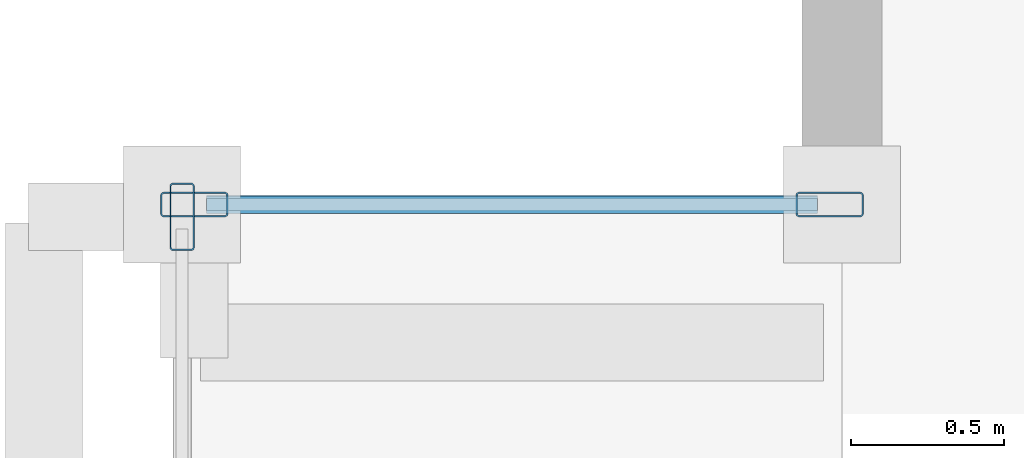
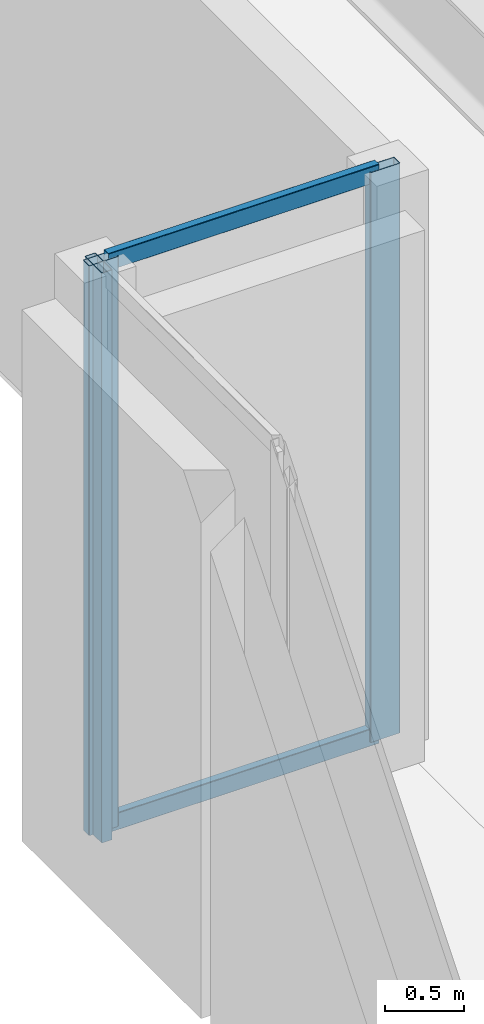
# One storey, part 4 of 16: 5 members, 2 elements without a shape of their own.
"""IFC4 building model written with IfcOpenShell, lengths in metres."""

import ifcopenshell
import ifcopenshell.guid

model = None  # the IFC model being written
_history = None  # IfcOwnerHistory: only IFC2X3 demands one
_inside = {}  # id of a spatial element -> (the spatial element, [elements in it])
_under = {}  # id of a project, library or spatial element -> (it, [spatial elements below it])
_declared = {}  # id of a project -> (the project, [libraries it declares])
_typed = {}  # id of a type object -> (the type object, [elements of that type])
_made_of = {}  # id of a material, layer set ... -> (it, [elements and type objects made of it])


def new_model(schema):
    """Start an empty IFC model of exactly this schema.

    Asked for "IFC4X3", IfcOpenShell would pick the latest addendum, in which some entities
    have other attributes; the version numbers below select the first issue.
    IFC2X3 requires an IfcOwnerHistory on every rooted entity: one is made here for all.
    """
    global model, _history
    if schema == "IFC4X3":
        model = ifcopenshell.file(schema_version=(4, 3, 0, 0))
    else:
        model = ifcopenshell.file(schema=schema)
    _inside.clear()
    _under.clear()
    _declared.clear()
    _typed.clear()
    _made_of.clear()
    _history = None
    if model.schema == "IFC2X3":
        org = make("IfcOrganization", Name="unknown")
        user = make(
            "IfcPersonAndOrganization",
            ThePerson=make("IfcPerson", FamilyName="unknown"),
            TheOrganization=org,
        )
        app = make(
            "IfcApplication",
            ApplicationDeveloper=org,
            Version="unknown",
            ApplicationFullName="unknown",
            ApplicationIdentifier="unknown",
        )
        _history = make(
            "IfcOwnerHistory",
            OwningUser=user,
            OwningApplication=app,
            ChangeAction="ADDED",
            CreationDate=0,
        )
    return model


def make(cls, **values):
    """One entity of the class cls with the attributes given. An attribute that is None is left unset."""
    return model.create_entity(
        cls, **{name: value for name, value in values.items() if value is not None}
    )


def rooted(cls, **values):
    """An entity with a GlobalId (a new one), such as an element, a storey or a relation."""
    return make(cls, GlobalId=ifcopenshell.guid.new(), OwnerHistory=_history, **values)


def si_unit(unit_type, name, prefix=None):
    """IfcSIUnit, for example si_unit("LENGTHUNIT", "METRE", prefix="MILLI")."""
    return make("IfcSIUnit", UnitType=unit_type, Prefix=prefix, Name=name)


def assignment(units):
    """IfcUnitAssignment: the units of a project."""
    return None if units is None else make("IfcUnitAssignment", Units=units)


def point(xyz):
    """IfcCartesianPoint."""
    return None if xyz is None else make("IfcCartesianPoint", Coordinates=xyz)


def direction(xyz):
    """IfcDirection."""
    return None if xyz is None else make("IfcDirection", DirectionRatios=xyz)


def frame(location, z_axis=None, x_axis=None):
    """IfcAxis2Placement3D, a coordinate frame: its origin and axes. An axis left out is left unset."""
    return make(
        "IfcAxis2Placement3D",
        Location=point(location),
        Axis=direction(z_axis),
        RefDirection=direction(x_axis),
    )


def frame_2d(location, x_axis=None):
    """IfcAxis2Placement2D, a coordinate frame in the plane: its origin and x axis."""
    return make(
        "IfcAxis2Placement2D", Location=point(location), RefDirection=direction(x_axis)
    )


def origin():
    """The frame at (0, 0, 0) with its axes left unset."""
    return frame((0.0, 0.0, 0.0))


def origin_2d():
    """The frame at (0, 0) in the plane with its x axis left unset."""
    return frame_2d((0.0, 0.0))


def place(relative_to, where):
    """IfcLocalPlacement: puts the frame where relative to a parent placement (None: the world)."""
    return make(
        "IfcLocalPlacement", PlacementRelTo=relative_to, RelativePlacement=where
    )


def context(
    kind, dimensions, precision=None, world=None, true_north=None, identifier=None
):
    """IfcGeometricRepresentationContext, for example the 3D "Model" context."""
    return make(
        "IfcGeometricRepresentationContext",
        ContextIdentifier=identifier,
        ContextType=kind,
        CoordinateSpaceDimension=dimensions,
        Precision=precision,
        WorldCoordinateSystem=world,
        TrueNorth=true_north,
    )


def subcontext(parent, identifier, kind, view, scale=None):
    """IfcGeometricRepresentationSubContext, for example "Body" below "Model"."""
    return make(
        "IfcGeometricRepresentationSubContext",
        ContextIdentifier=identifier,
        ContextType=kind,
        ParentContext=parent,
        TargetScale=scale,
        TargetView=view,
    )


def project(units=None, contexts=None):
    """IfcProject with its units and contexts."""
    return rooted(
        "IfcProject",
        Name="project",
        RepresentationContexts=contexts,
        UnitsInContext=assignment(units),
    )


def spatial(cls, under=None, at=None, **own):
    """A site, building, storey or space (cls), placed at a placement, below another one or the project."""
    s = rooted(cls, ObjectPlacement=at, **own)
    if under is not None:
        _under.setdefault(under.id(), (under, []))[1].append(s)
    return s


def profile(cls, at=None, kind="AREA", **sizes):
    """A parametric profile (cls). Its sizes go by their IFC names, for example OverallWidth=200.0."""
    return make(cls, ProfileType=kind, Position=at, **sizes)


def hollow_rectangle(**sizes):
    """IfcRectangleHollowProfileDef."""
    return profile("IfcRectangleHollowProfileDef", **sizes)


def extrude(swept, where, along, depth):
    """IfcExtrudedAreaSolid: the profile swept, set in the frame where, extruded along a direction by depth."""
    return make(
        "IfcExtrudedAreaSolid",
        SweptArea=swept,
        Position=where,
        ExtrudedDirection=direction(along),
        Depth=depth,
    )


def shape(context_of_items, identifier, shape_type, items):
    """IfcShapeRepresentation: the items that make up one representation, for example the "Body"."""
    return make(
        "IfcShapeRepresentation",
        ContextOfItems=context_of_items,
        RepresentationIdentifier=identifier,
        RepresentationType=shape_type,
        Items=items,
    )


def material(Name=None, Category=None):
    """IfcMaterial."""
    return make("IfcMaterial", Name=Name, Category=Category)


def layer(
    of_material, thickness, ventilated=None, Name=None, Category=None, Priority=None
):
    """IfcMaterialLayer: one layer of a wall or slab, of a material (None: an air gap)."""
    return make(
        "IfcMaterialLayer",
        Material=of_material,
        LayerThickness=thickness,
        IsVentilated=ventilated,
        Name=Name,
        Category=Category,
        Priority=Priority,
    )


def layer_set(layers, Name=None):
    """IfcMaterialLayerSet."""
    return make("IfcMaterialLayerSet", MaterialLayers=layers, LayerSetName=Name)


def material_profile(
    of_material, cross_section, Name=None, Category=None, Priority=None
):
    """IfcMaterialProfile: a cross section and its material."""
    return make(
        "IfcMaterialProfile",
        Name=Name,
        Material=of_material,
        Profile=cross_section,
        Priority=Priority,
        Category=Category,
    )


def profile_set(profiles, Name=None, composite=None):
    """IfcMaterialProfileSet."""
    return make(
        "IfcMaterialProfileSet",
        Name=Name,
        MaterialProfiles=profiles,
        CompositeProfile=composite,
    )


def made_of(thing, what):
    """Note that an element or type object is made of a material, layer set ...; save() writes the relation."""
    if what is not None:
        _made_of.setdefault(what.id(), (what, []))[1].append(thing)
    return thing


def type_object(cls, material=None, **own):
    """A type object (cls), such as IfcWallType, which elements share."""
    return made_of(rooted(cls, **own), material)


def element(
    cls,
    number,
    at=None,
    inside=None,
    cuts=None,
    type_object=None,
    material=None,
    context=None,
    identifier="Body",
    shape_type=None,
    held_by="IfcProductDefinitionShape",
    body=None,
    shapes=None,
    **own,
):
    """One element of the class cls, such as IfcWall. Its Tag is "e" and its number.

    at: its placement. inside: the storey or other place that contains it. cuts: it is an
    opening in that element (IfcRelVoidsElement). A single representation is given by context,
    identifier, shape_type and body (its items); several are given by shapes. held_by: the class
    of the entity that holds the representations. save() writes the other relations.
    """
    e = rooted(cls, Tag="e%d" % number, ObjectPlacement=at, **own)
    if body is not None:
        shapes = [shape(context, identifier, shape_type, body)]
    if shapes is not None:
        e.Representation = make(held_by, Representations=shapes)
    if inside is not None:
        _inside.setdefault(inside.id(), (inside, []))[1].append(e)
    if cuts is not None:
        rooted(
            "IfcRelVoidsElement", RelatingBuildingElement=cuts, RelatedOpeningElement=e
        )
    if type_object is not None:
        _typed.setdefault(type_object.id(), (type_object, []))[1].append(e)
    return made_of(e, material)


def aggregate(whole, parts):
    """IfcRelAggregates: a whole, such as a stair, and the parts it consists of."""
    return rooted("IfcRelAggregates", RelatingObject=whole, RelatedObjects=parts)


def save(model, path):
    """Write the relations noted so far, then the file.

    IfcRelAggregates (storeys below a building ...), IfcRelContainedInSpatialStructure (elements
    in a storey), IfcRelDefinesByType, IfcRelAssociatesMaterial and IfcRelDeclares: one each for
    every whole, place, type object, material and project.
    """
    for whole, parts in _under.values():
        aggregate(whole, parts)
    for where, things in _inside.values():
        rooted(
            "IfcRelContainedInSpatialStructure",
            RelatedElements=things,
            RelatingStructure=where,
        )
    for kind, things in _typed.values():
        rooted("IfcRelDefinesByType", RelatedObjects=things, RelatingType=kind)
    for what, things in _made_of.values():
        rooted("IfcRelAssociatesMaterial", RelatedObjects=things, RelatingMaterial=what)
    for by, libraries in _declared.values():
        rooted("IfcRelDeclares", RelatingContext=by, RelatedDefinitions=libraries)
    model.write(path)


model = new_model("IFC4")

# Units and contexts
model_context = context("Model", 3, precision=1e-05, world=origin(), true_north=direction((0.0, 1.0)))
body_context = subcontext(model_context, "Body", "Model", "MODEL_VIEW")
ifc_project = project(units=[si_unit("LENGTHUNIT", "METRE"), si_unit("AREAUNIT", "SQUARE_METRE"), si_unit("VOLUMEUNIT", "CUBIC_METRE"), si_unit("PLANEANGLEUNIT", "RADIAN"), si_unit("MASSUNIT", "GRAM", prefix="KILO")], contexts=[model_context])

# Site, building, storey
site_placement = place(None, origin())
site = spatial("IfcSite", under=ifc_project, at=site_placement, CompositionType="ELEMENT")
building_placement = place(site_placement, origin())
building = spatial("IfcBuilding", under=site, at=building_placement, Name="An Khanh Terracotta Commons", CompositionType="ELEMENT")
storey_placement = place(building_placement, frame((0.0, 0.0, 10.050048828125)))
storey = spatial("IfcBuildingStorey", under=building, at=storey_placement, Name="L03", CompositionType="ELEMENT", Elevation=10.050048828125)

# Curtain wall, member
ifc_material = material(Name="Anodised Aluminium 6063-T6", Category="aluminium")
ifc_layer = layer(ifc_material, 0.239990234375, Name="Anodised Aluminium 6063-T6")
ifc_layer_set = layer_set([ifc_layer], Name="Anodised Aluminium 6063-T6")
curtain_wall_type = type_object("IfcCurtainWallType", Name="CW-SYS-04", PredefinedType="USERDEFINED", material=ifc_layer_set)
curtain_wall_1_placement = place(storey_placement, origin())
curtain_wall_1 = element("IfcCurtainWall", 1, at=curtain_wall_1_placement, inside=storey, type_object=curtain_wall_type, Name="L03 CW-04 Unitised Curtain Wall CW-L03-WBOX-1", ObjectType="UNITISED CURTAIN WALL", PredefinedType="USERDEFINED")
ifc_material_profile_1 = material_profile(ifc_material, hollow_rectangle(XDim=0.080078125, YDim=0.219970703125, WallThickness=0.0048828125, InnerFilletRadius=0.0048828125, OuterFilletRadius=0.010009765625, at=origin_2d()), Name="RHS220x80x5")
ifc_profile_set_1 = profile_set([ifc_material_profile_1], Name="Anodised Aluminium 6063-T6")
member_type_1 = type_object("IfcMemberType", Name="CWM-RHS220x80x5", PredefinedType="MULLION", material=ifc_profile_set_1)
member_1_placement = place(storey_placement, frame((-0.550048828125, 25.159912109375, 0.0), z_axis=(0.0, 0.0, 1.0), x_axis=(1.0, 0.0, 0.0)))
member_1 = element("IfcMember", 2, at=member_1_placement, type_object=member_type_1, Name="CW-04 mullion 1", PredefinedType="MULLION", context=body_context, shape_type="SweptSolid", body=[
    extrude(hollow_rectangle(XDim=0.080078125, YDim=0.219970703125, WallThickness=0.0048828125, InnerFilletRadius=0.0048828125, OuterFilletRadius=0.010009765625, at=origin_2d()), origin(), (0.0, 0.0, 1.0), 4.429931640625),
])
aggregate(curtain_wall_1, [member_1])

# Curtain wall, members
curtain_wall_2_placement = place(storey_placement, origin())
curtain_wall_2 = element("IfcCurtainWall", 3, at=curtain_wall_2_placement, inside=storey, type_object=curtain_wall_type, Name="L03 CW-04 Unitised Curtain Wall CW-L03-WBOX-3", ObjectType="UNITISED CURTAIN WALL", PredefinedType="USERDEFINED")
member_2_placement = place(storey_placement, frame((-0.510009765625, 25.199951171875, 0.0), z_axis=(0.0, 0.0, 1.0), x_axis=(0.0, 1.0, 0.0)))
member_2 = element("IfcMember", 4, at=member_2_placement, type_object=member_type_1, Name="CW-04 mullion 1", PredefinedType="MULLION", context=body_context, shape_type="SweptSolid", body=[
    extrude(hollow_rectangle(XDim=0.080078125, YDim=0.219970703125, WallThickness=0.0048828125, InnerFilletRadius=0.0048828125, OuterFilletRadius=0.010009765625, at=origin_2d()), origin(), (0.0, 0.0, 1.0), 4.429931640625),
])
member_3_placement = place(storey_placement, frame((1.56005859375, 25.199951171875, 0.0), z_axis=(0.0, 0.0, 1.0), x_axis=(0.0, 1.0, 0.0)))
member_3 = element("IfcMember", 5, at=member_3_placement, type_object=member_type_1, Name="CW-04 mullion 2", PredefinedType="MULLION", context=body_context, shape_type="SweptSolid", body=[
    extrude(hollow_rectangle(XDim=0.080078125, YDim=0.219970703125, WallThickness=0.0048828125, InnerFilletRadius=0.0048828125, OuterFilletRadius=0.010009765625, at=origin_2d()), origin(), (0.0, 0.0, 1.0), 4.429931640625),
])
ifc_material_profile_2 = material_profile(ifc_material, hollow_rectangle(XDim=0.06005859375, YDim=0.135009765625, WallThickness=0.003662109375, InnerFilletRadius=0.003662109375, OuterFilletRadius=0.007080078125, at=origin_2d()), Name="RHS135x60x3.6")
ifc_profile_set_2 = profile_set([ifc_material_profile_2], Name="Anodised Aluminium 6063-T6")
member_type_2 = type_object("IfcMemberType", Name="CWT-RHS135x60x3.6", PredefinedType="USERDEFINED", material=ifc_profile_set_2)
member_4_placement = place(storey_placement, frame((-0.469970703125, 25.199951171875, 0.030029296875), z_axis=(1.0, 0.0, 0.0), x_axis=(0.0, 1.0, 0.0)))
member_4 = element("IfcMember", 6, at=member_4_placement, type_object=member_type_2, Name="CW-04 transom 1.1", ObjectType="TRANSOM", PredefinedType="USERDEFINED", context=body_context, shape_type="SweptSolid", body=[
    extrude(hollow_rectangle(XDim=0.06005859375, YDim=0.135009765625, WallThickness=0.003662109375, InnerFilletRadius=0.003662109375, OuterFilletRadius=0.007080078125, at=origin_2d()), origin(), (0.0, 0.0, 1.0), 1.989990234375),
])
member_5_placement = place(storey_placement, frame((-0.469970703125, 25.199951171875, 4.39990234375), z_axis=(1.0, 0.0, 0.0), x_axis=(0.0, 1.0, 0.0)))
member_5 = element("IfcMember", 7, at=member_5_placement, type_object=member_type_2, Name="CW-04 transom 1.2", ObjectType="TRANSOM", PredefinedType="USERDEFINED", context=body_context, shape_type="SweptSolid", body=[
    extrude(hollow_rectangle(XDim=0.06005859375, YDim=0.135009765625, WallThickness=0.003662109375, InnerFilletRadius=0.003662109375, OuterFilletRadius=0.007080078125, at=origin_2d()), origin(), (0.0, 0.0, 1.0), 1.989990234375),
])
aggregate(curtain_wall_2, [member_2, member_3, member_4, member_5])

save(model, "model.ifc")
